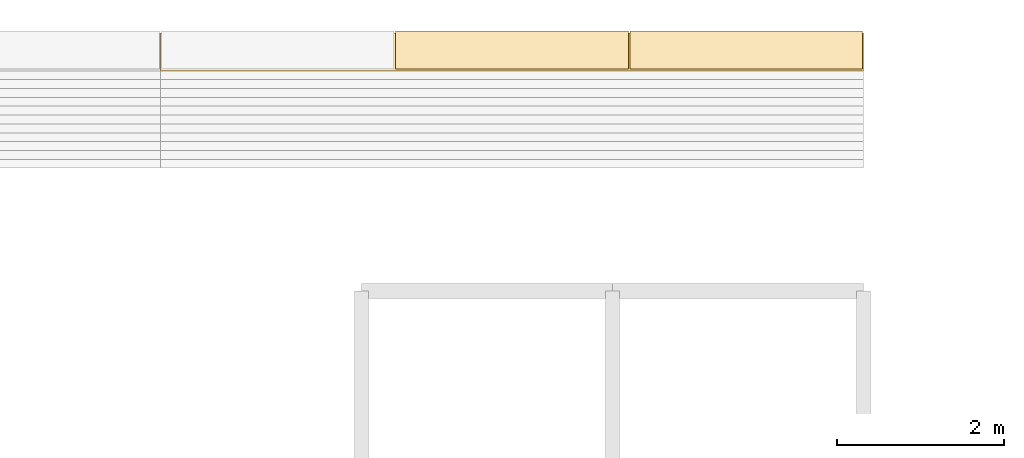
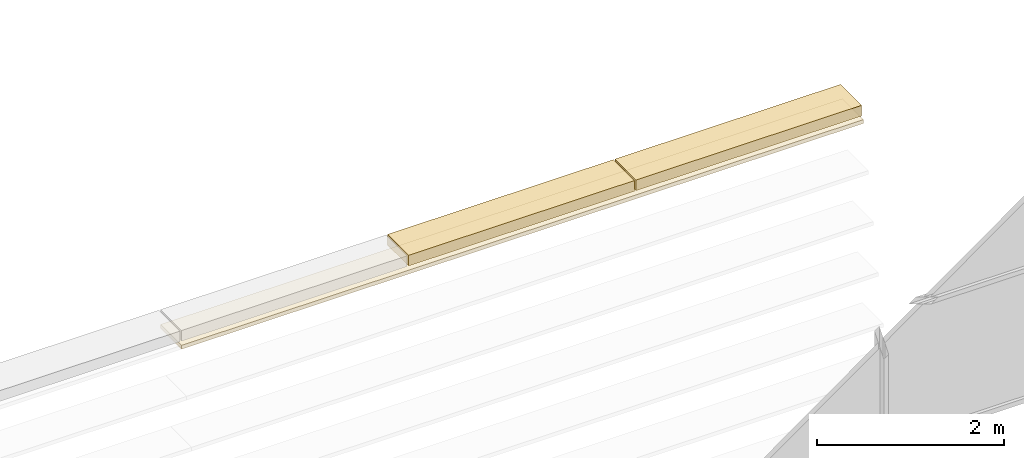
# One storey, part 91 of 91: 3 coverings.
"""IFC4 building model written with IfcOpenShell, lengths in metres."""

from ifc_helpers import new_model, si_unit, direction, frame, origin, origin_2d, place, context, subcontext, project, spatial, rectangle, extrude, material, material_profile, profile_set, type_object, element, save


model = new_model("IFC4")

# Units and contexts
model_context = context("Model", 3, precision=1e-05, world=origin(), true_north=direction((0.0, 1.0)))
body_context = subcontext(model_context, "Body", "Model", "MODEL_VIEW")
ifc_project = project(units=[si_unit("LENGTHUNIT", "METRE"), si_unit("AREAUNIT", "SQUARE_METRE"), si_unit("VOLUMEUNIT", "CUBIC_METRE"), si_unit("PLANEANGLEUNIT", "RADIAN"), si_unit("MASSUNIT", "GRAM", prefix="KILO")], contexts=[model_context])

# Site, building, storey
site_placement = place(None, origin())
site = spatial("IfcSite", under=ifc_project, at=site_placement, CompositionType="ELEMENT")
building_placement = place(site_placement, origin())
building = spatial("IfcBuilding", under=site, at=building_placement, Name="Almond Square Museum", CompositionType="ELEMENT")
storey_placement = place(building_placement, frame((0.0, 0.0, 30.0)))
storey = spatial("IfcBuildingStorey", under=building, at=storey_placement, Name="L05", CompositionType="ELEMENT", Elevation=30.0)

# Coverings
ifc_material_1 = material(Name="Cedar timber louvre board", Category="wood")
ifc_material_profile_1 = material_profile(ifc_material_1, rectangle(XDim=0.449951171875, YDim=0.050048828125, at=origin_2d()))
ifc_profile_set_1 = profile_set([ifc_material_profile_1], Name="Cedar timber louvre board")
covering_type_1 = type_object("IfcCoveringType", Name="Louvre board 450 x 50", PredefinedType="CLADDING", material=ifc_profile_set_1)
covering_placement = place(storey_placement, frame((140.39990234375, 115.0078125, 6.699951171875), z_axis=(1.0, 0.0, 0.0), x_axis=(0.0, 1.0, 0.0)))
element("IfcCovering", 1, at=covering_placement, inside=storey, type_object=covering_type_1, Name="Louvre board N50.05", PredefinedType="CLADDING", context=body_context, shape_type="SweptSolid", body=[
    extrude(rectangle(XDim=0.449951171875, YDim=0.050048828125, at=origin_2d()), origin(), (0.0, 0.0, 1.0), 8.400146484375),
])
ifc_material_2 = material(Name="Cedar timber louvre board", Category="wood")
ifc_material_profile_2 = material_profile(ifc_material_2, rectangle(XDim=0.449951171875, YDim=0.139892578125, at=origin_2d()))
ifc_profile_set_2 = profile_set([ifc_material_profile_2], Name="Cedar timber louvre board")
covering_type_2 = type_object("IfcCoveringType", Name="Louvre skin fascia 450 x 140", PredefinedType="CLADDING", material=ifc_profile_set_2)
for number, where, z_axis, x_axis, name in (
    (2, (143.2099609375, 115.03076171875, 6.830078125), (1.0, 0.0, 0.0), (0.0, 1.0, 0.0), "Louvre skin fascia N14"),
    (3, (146.010009765625, 115.03076171875, 6.830078125), (1.0, 0.0, 0.0), (0.0, 1.0, 0.0), "Louvre skin fascia N15"),
):
    element("IfcCovering", number, at=place(storey_placement, frame(where, z_axis=z_axis, x_axis=x_axis)), inside=storey, type_object=covering_type_2, Name=name, PredefinedType="CLADDING", context=body_context, shape_type="SweptSolid", body=[
        extrude(rectangle(XDim=0.449951171875, YDim=0.139892578125, at=origin_2d()), origin(), (0.0, 0.0, 1.0), 2.780029296875),
    ])

save(model, "model.ifc")
